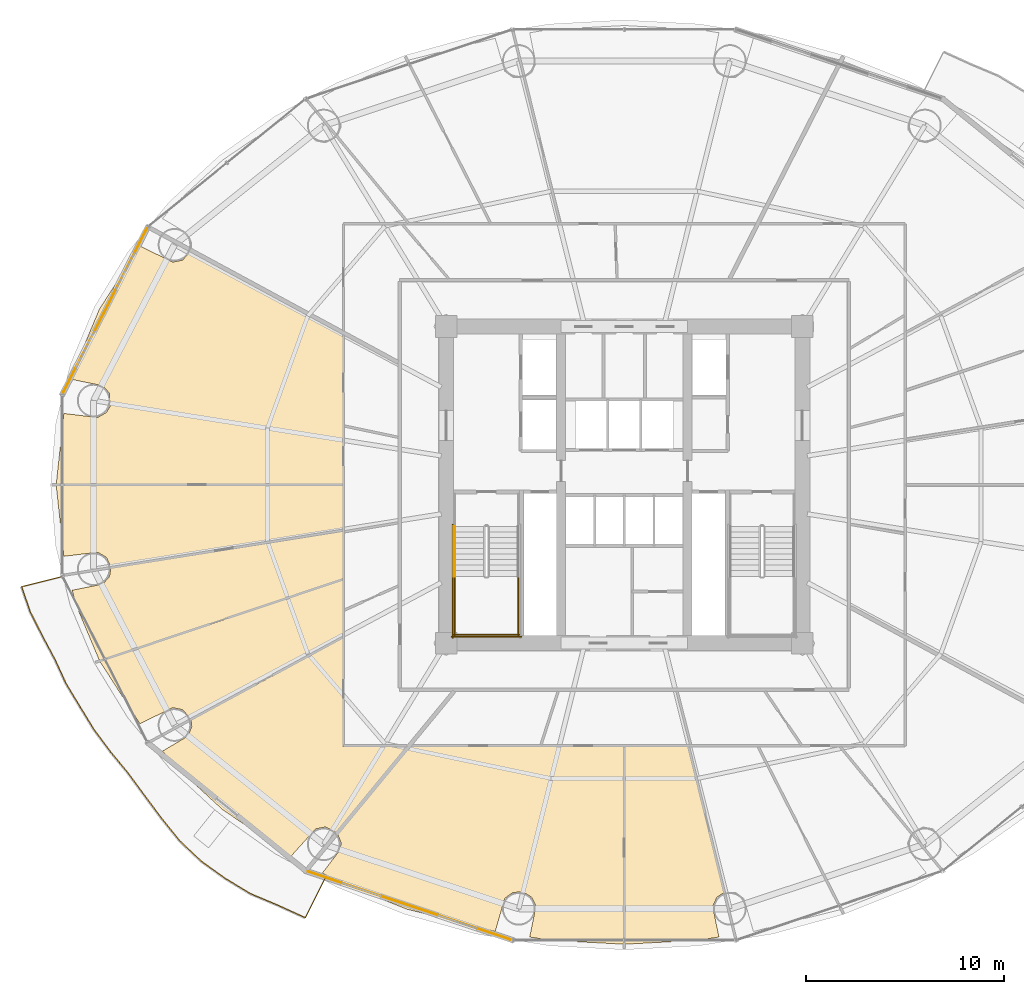
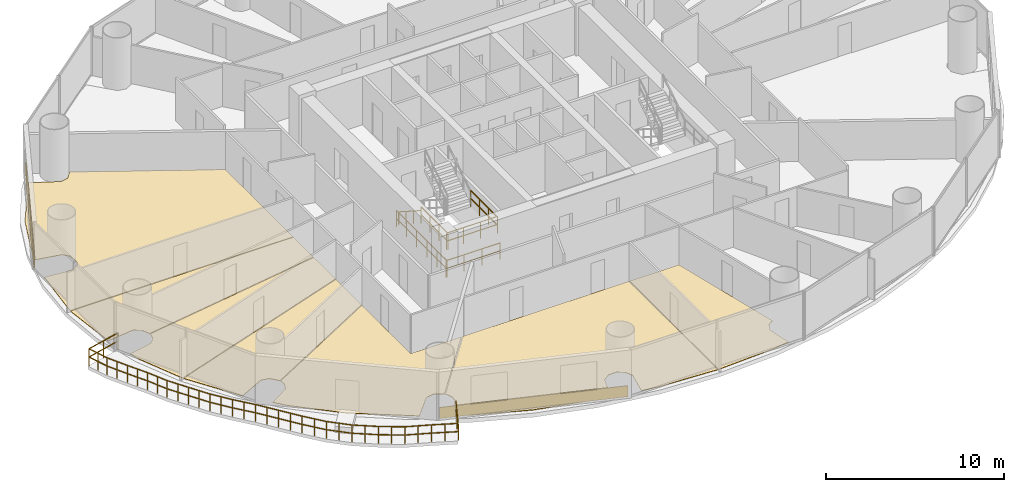
# One storey, part 26 of 29: 9 coverings, 7 railings.
"""IFC4 building model written with IfcOpenShell, lengths in metres."""

from ifc_helpers import new_model, si_unit, direction, frame, origin, origin_2d, place, context, subcontext, project, spatial, polyline, rectangle, outline, extrude, source, transform, mapped, material, layer, layer_set, type_object, element, save


model = new_model("IFC4")

# Units and contexts
model_context = context("Model", 3, precision=1e-05, world=origin(), true_north=direction((-0.2419218956, 0.970295726276)))
body_context = subcontext(model_context, "Body", "Model", "MODEL_VIEW")
ifc_project = project(units=[si_unit("LENGTHUNIT", "METRE"), si_unit("AREAUNIT", "SQUARE_METRE"), si_unit("VOLUMEUNIT", "CUBIC_METRE"), si_unit("PLANEANGLEUNIT", "RADIAN"), si_unit("MASSUNIT", "GRAM", prefix="KILO")], contexts=[model_context])

# Site, building, storey
site_placement = place(None, origin())
site = spatial("IfcSite", under=ifc_project, at=site_placement, CompositionType="ELEMENT")
building_placement = place(site_placement, origin())
building = spatial("IfcBuilding", under=site, at=building_placement, Name="Cobrevalo Terracotta Tower", CompositionType="ELEMENT")
storey_placement = place(building_placement, frame((0.0, 0.0, 49.199951171875)))
storey = spatial("IfcBuildingStorey", under=building, at=storey_placement, Name="L12", CompositionType="ELEMENT", Elevation=49.199951171875)

# Railing
ifc_material_1 = material(Name="Laminated structural glass and stainless steel", Category="steel")
railing_type_1 = type_object("IfcRailingType", Name="Balcony lobe structural glass & terracotta-cap balustrade 1180 mm", PredefinedType="BALUSTRADE", material=ifc_material_1)
railing_1_placement = place(storey_placement, frame((9.717529296875, 22.1962890625, 0.0)))
element("IfcRailing", 1, at=railing_1_placement, inside=storey, type_object=railing_type_1, Name="L12 spiralling balcony lobe balustrade 2", PredefinedType="BALUSTRADE", context=body_context, shape_type="SweptSolid", body=[
    extrude(rectangle(XDim=0.048095703125, YDim=0.048095703125, at=origin_2d()), frame((0.0, 0.0, 1.15576171875), z_axis=(-0.970656645636, -0.240469699304, 0.0), x_axis=(0.240469699304, -0.970656645636, 0.0)), (0.0, 0.0, 1.0), 2.2529296875),
    extrude(rectangle(XDim=0.048095703125, YDim=0.048095703125, at=origin_2d()), frame((0.0, 0.0, 0.58984375), z_axis=(-0.970656645636, -0.240469699304, 0.0), x_axis=(0.240469699304, -0.970656645636, 0.0)), (0.0, 0.0, 1.0), 2.2529296875),
    extrude(rectangle(XDim=0.048095703125, YDim=0.048095703125, at=origin_2d()), frame((-2.186767578125, -0.541748046875, 1.15576171875), z_axis=(0.326743713741, -0.9451129803, 0.0), x_axis=(0.9451129803, 0.326743713741, 0.0)), (0.0, 0.0, 1.0), 1.3486328125),
    extrude(rectangle(XDim=0.048095703125, YDim=0.048095703125, at=origin_2d()), frame((-2.186767578125, -0.541748046875, 0.58984375), z_axis=(0.326743713741, -0.9451129803, 0.0), x_axis=(0.9451129803, 0.326743713741, 0.0)), (0.0, 0.0, 1.0), 1.3486328125),
    extrude(rectangle(XDim=0.048095703125, YDim=0.048095703125, at=origin_2d()), frame((-1.74609375, -1.81640625, 1.15576171875), z_axis=(0.449937324775, -0.893060134467, 0.0), x_axis=(0.893060134467, 0.449937324775, 0.0)), (0.0, 0.0, 1.0), 1.361328125),
    extrude(rectangle(XDim=0.048095703125, YDim=0.048095703125, at=origin_2d()), frame((-1.74609375, -1.81640625, 0.58984375), z_axis=(0.449937324775, -0.893060134467, 0.0), x_axis=(0.893060134467, 0.449937324775, 0.0)), (0.0, 0.0, 1.0), 1.361328125),
    extrude(rectangle(XDim=0.048095703125, YDim=0.048095703125, at=origin_2d()), frame((-1.133544921875, -3.0322265625, 1.15576171875), z_axis=(0.47043842962, -0.882432821203, 0.0), x_axis=(0.882432821203, 0.47043842962, 0.0)), (0.0, 0.0, 1.0), 1.353515625),
    extrude(rectangle(XDim=0.048095703125, YDim=0.048095703125, at=origin_2d()), frame((-1.133544921875, -3.0322265625, 0.58984375), z_axis=(0.47043842962, -0.882432821203, 0.0), x_axis=(0.882432821203, 0.47043842962, 0.0)), (0.0, 0.0, 1.0), 1.353515625),
    extrude(rectangle(XDim=0.048095703125, YDim=0.048095703125, at=origin_2d()), frame((-0.496826171875, -4.2265625, 1.15576171875), z_axis=(0.417641932677, -0.90861169708, 0.0), x_axis=(0.90861169708, 0.417641932677, 0.0)), (0.0, 0.0, 1.0), 1.34521484375),
    extrude(rectangle(XDim=0.048095703125, YDim=0.048095703125, at=origin_2d()), frame((-0.496826171875, -4.2265625, 0.58984375), z_axis=(0.417641932677, -0.90861169708, 0.0), x_axis=(0.90861169708, 0.417641932677, 0.0)), (0.0, 0.0, 1.0), 1.34521484375),
    extrude(rectangle(XDim=0.048095703125, YDim=0.048095703125, at=origin_2d()), frame((0.06494140625, -5.44873046875, 1.15576171875), z_axis=(0.518008939835, -0.855375203201, 0.0), x_axis=(0.855375203201, 0.518008939835, 0.0)), (0.0, 0.0, 1.0), 1.36767578125),
    extrude(rectangle(XDim=0.048095703125, YDim=0.048095703125, at=origin_2d()), frame((0.06494140625, -5.44873046875, 0.58984375), z_axis=(0.518008939835, -0.855375203201, 0.0), x_axis=(0.855375203201, 0.518008939835, 0.0)), (0.0, 0.0, 1.0), 1.36767578125),
    extrude(rectangle(XDim=0.048095703125, YDim=0.048095703125, at=origin_2d()), frame((0.7734375, -6.61865234375, 1.15576171875), z_axis=(0.521811507393, -0.853060813045, 0.0), x_axis=(0.853060813045, 0.521811507393, 0.0)), (0.0, 0.0, 1.0), 1.36572265625),
    extrude(rectangle(XDim=0.048095703125, YDim=0.048095703125, at=origin_2d()), frame((0.7734375, -6.61865234375, 0.58984375), z_axis=(0.521811507393, -0.853060813045, 0.0), x_axis=(0.853060813045, 0.521811507393, 0.0)), (0.0, 0.0, 1.0), 1.36572265625),
    extrude(rectangle(XDim=0.048095703125, YDim=0.048095703125, at=origin_2d()), frame((1.486083984375, -7.78369140625, 1.15576171875), z_axis=(0.597623817794, -0.801776634984, 0.0), x_axis=(0.801776634984, 0.597623817794, 0.0)), (0.0, 0.0, 1.0), 1.38232421875),
    extrude(rectangle(XDim=0.048095703125, YDim=0.048095703125, at=origin_2d()), frame((1.486083984375, -7.78369140625, 0.58984375), z_axis=(0.597623817794, -0.801776634984, 0.0), x_axis=(0.801776634984, 0.597623817794, 0.0)), (0.0, 0.0, 1.0), 1.38232421875),
    extrude(rectangle(XDim=0.048095703125, YDim=0.048095703125, at=origin_2d()), frame((2.312255859375, -8.89208984375, 1.15576171875), z_axis=(0.636216311347, -0.771510729138, 0.0), x_axis=(0.771510729138, 0.636216311347, 0.0)), (0.0, 0.0, 1.0), 1.394775390625),
    extrude(rectangle(XDim=0.048095703125, YDim=0.048095703125, at=origin_2d()), frame((2.312255859375, -8.89208984375, 0.58984375), z_axis=(0.636216311347, -0.771510729138, 0.0), x_axis=(0.771510729138, 0.636216311347, 0.0)), (0.0, 0.0, 1.0), 1.394775390625),
    extrude(rectangle(XDim=0.048095703125, YDim=0.048095703125, at=origin_2d()), frame((3.19970703125, -9.96826171875, 1.15576171875), z_axis=(0.59238049552, -0.805658332376, 0.0), x_axis=(0.805658332376, 0.59238049552, 0.0)), (0.0, 0.0, 1.0), 1.404541015625),
    extrude(rectangle(XDim=0.048095703125, YDim=0.048095703125, at=origin_2d()), frame((3.19970703125, -9.96826171875, 0.58984375), z_axis=(0.59238049552, -0.805658332376, 0.0), x_axis=(0.805658332376, 0.59238049552, 0.0)), (0.0, 0.0, 1.0), 1.404541015625),
    extrude(rectangle(XDim=0.048095703125, YDim=0.048095703125, at=origin_2d()), frame((4.03173828125, -11.099853515625, 1.15576171875), z_axis=(0.596772057795, -0.802410811888, 0.0), x_axis=(0.802410811888, 0.596772057795, 0.0)), (0.0, 0.0, 1.0), 1.454345703125),
    extrude(rectangle(XDim=0.048095703125, YDim=0.048095703125, at=origin_2d()), frame((4.03173828125, -11.099853515625, 0.58984375), z_axis=(0.596772057795, -0.802410811888, 0.0), x_axis=(0.802410811888, 0.596772057795, 0.0)), (0.0, 0.0, 1.0), 1.454345703125),
    extrude(rectangle(XDim=0.048095703125, YDim=0.048095703125, at=origin_2d()), frame((4.899658203125, -12.266845703125, 1.15576171875), z_axis=(0.628561634058, -0.777759777946, 0.0), x_axis=(0.777759777946, 0.628561634058, 0.0)), (0.0, 0.0, 1.0), 1.4677734375),
    extrude(rectangle(XDim=0.048095703125, YDim=0.048095703125, at=origin_2d()), frame((4.899658203125, -12.266845703125, 0.58984375), z_axis=(0.628561634058, -0.777759777946, 0.0), x_axis=(0.777759777946, 0.628561634058, 0.0)), (0.0, 0.0, 1.0), 1.4677734375),
    extrude(rectangle(XDim=0.048095703125, YDim=0.048095703125, at=origin_2d()), frame((5.822265625, -13.408447265625, 1.15576171875), z_axis=(0.727476193615, -0.68613292278, 0.0), x_axis=(0.68613292278, 0.727476193615, 0.0)), (0.0, 0.0, 1.0), 1.476318359375),
    extrude(rectangle(XDim=0.048095703125, YDim=0.048095703125, at=origin_2d()), frame((5.822265625, -13.408447265625, 0.58984375), z_axis=(0.727476193615, -0.68613292278, 0.0), x_axis=(0.68613292278, 0.727476193615, 0.0)), (0.0, 0.0, 1.0), 1.476318359375),
    extrude(rectangle(XDim=0.048095703125, YDim=0.048095703125, at=origin_2d()), frame((6.896240234375, -14.42138671875, 1.15576171875), z_axis=(0.813080516018, -0.582151247076, 0.0), x_axis=(0.582151247076, 0.813080516018, 0.0)), (0.0, 0.0, 1.0), 1.49169921875),
    extrude(rectangle(XDim=0.048095703125, YDim=0.048095703125, at=origin_2d()), frame((6.896240234375, -14.42138671875, 0.58984375), z_axis=(0.813080516018, -0.582151247076, 0.0), x_axis=(0.582151247076, 0.813080516018, 0.0)), (0.0, 0.0, 1.0), 1.49169921875),
    extrude(rectangle(XDim=0.048095703125, YDim=0.048095703125, at=origin_2d()), frame((8.109130859375, -15.289794921875, 1.15576171875), z_axis=(0.854844744137, -0.518883863134, 0.0), x_axis=(0.518883863134, 0.854844744137, 0.0)), (0.0, 0.0, 1.0), 1.48681640625),
    extrude(rectangle(XDim=0.048095703125, YDim=0.048095703125, at=origin_2d()), frame((8.109130859375, -15.289794921875, 0.58984375), z_axis=(0.854844744137, -0.518883863134, 0.0), x_axis=(0.518883863134, 0.854844744137, 0.0)), (0.0, 0.0, 1.0), 1.48681640625),
    extrude(rectangle(XDim=0.048095703125, YDim=0.048095703125, at=origin_2d()), frame((9.380126953125, -16.061279296875, 1.15576171875), z_axis=(0.921740787287, -0.387806551067, 0.0), x_axis=(0.387806551067, 0.921740787287, 0.0)), (0.0, 0.0, 1.0), 1.525390625),
    extrude(rectangle(XDim=0.048095703125, YDim=0.048095703125, at=origin_2d()), frame((9.380126953125, -16.061279296875, 0.58984375), z_axis=(0.921740787287, -0.387806551067, 0.0), x_axis=(0.387806551067, 0.921740787287, 0.0)), (0.0, 0.0, 1.0), 1.525390625),
    extrude(rectangle(XDim=0.048095703125, YDim=0.048095703125, at=origin_2d()), frame((10.7861328125, -16.65283203125, 1.15576171875), z_axis=(0.910277705224, -0.413998187643, 0.0), x_axis=(0.413998187643, 0.910277705224, 0.0)), (0.0, 0.0, 1.0), 1.50732421875),
    extrude(rectangle(XDim=0.048095703125, YDim=0.048095703125, at=origin_2d()), frame((10.7861328125, -16.65283203125, 0.58984375), z_axis=(0.910277705224, -0.413998187643, 0.0), x_axis=(0.413998187643, 0.910277705224, 0.0)), (0.0, 0.0, 1.0), 1.50732421875),
    extrude(rectangle(XDim=0.048095703125, YDim=0.048095703125, at=origin_2d()), frame((12.158203125, -17.27685546875, 1.15576171875), z_axis=(0.4472135955, 0.894427191, 0.0), x_axis=(-0.894427191, 0.4472135955, 0.0)), (0.0, 0.0, 1.0), 2.208251953125),
    extrude(rectangle(XDim=0.048095703125, YDim=0.048095703125, at=origin_2d()), frame((12.158203125, -17.27685546875, 0.58984375), z_axis=(0.4472135955, 0.894427191, 0.0), x_axis=(-0.894427191, 0.4472135955, 0.0)), (0.0, 0.0, 1.0), 2.208251953125),
    extrude(rectangle(XDim=0.0419921875, YDim=0.0419921875, at=origin_2d()), origin(), (0.0, 0.0, 1.0), 1.1318359375),
    extrude(rectangle(XDim=0.0419921875, YDim=0.0419921875, at=origin_2d()), frame((-1.09326171875, -0.27099609375, 0.0)), (0.0, 0.0, 1.0), 1.1318359375),
    extrude(rectangle(XDim=0.0419921875, YDim=0.0419921875, at=origin_2d()), frame((-2.186767578125, -0.541748046875, 0.0)), (0.0, 0.0, 1.0), 1.1318359375),
    extrude(rectangle(XDim=0.0419921875, YDim=0.0419921875, at=origin_2d()), frame((-1.96630859375, -1.17919921875, 0.0)), (0.0, 0.0, 1.0), 1.1318359375),
    extrude(rectangle(XDim=0.0419921875, YDim=0.0419921875, at=origin_2d()), frame((-1.74609375, -1.81640625, 0.0)), (0.0, 0.0, 1.0), 1.1318359375),
    extrude(rectangle(XDim=0.0419921875, YDim=0.0419921875, at=origin_2d()), frame((-1.43994140625, -2.42431640625, 0.0)), (0.0, 0.0, 1.0), 1.1318359375),
    extrude(rectangle(XDim=0.0419921875, YDim=0.0419921875, at=origin_2d()), frame((-1.133544921875, -3.0322265625, 0.0)), (0.0, 0.0, 1.0), 1.1318359375),
    extrude(rectangle(XDim=0.0419921875, YDim=0.0419921875, at=origin_2d()), frame((-0.815185546875, -3.62939453125, 0.0)), (0.0, 0.0, 1.0), 1.1318359375),
    extrude(rectangle(XDim=0.0419921875, YDim=0.0419921875, at=origin_2d()), frame((-0.496826171875, -4.2265625, 0.0)), (0.0, 0.0, 1.0), 1.1318359375),
    extrude(rectangle(XDim=0.0419921875, YDim=0.0419921875, at=origin_2d()), frame((-0.2158203125, -4.837646484375, 0.0)), (0.0, 0.0, 1.0), 1.1318359375),
    extrude(rectangle(XDim=0.0419921875, YDim=0.0419921875, at=origin_2d()), frame((0.06494140625, -5.44873046875, 0.0)), (0.0, 0.0, 1.0), 1.1318359375),
    extrude(rectangle(XDim=0.0419921875, YDim=0.0419921875, at=origin_2d()), frame((0.419189453125, -6.03369140625, 0.0)), (0.0, 0.0, 1.0), 1.1318359375),
    extrude(rectangle(XDim=0.0419921875, YDim=0.0419921875, at=origin_2d()), frame((0.7734375, -6.61865234375, 0.0)), (0.0, 0.0, 1.0), 1.1318359375),
    extrude(rectangle(XDim=0.0419921875, YDim=0.0419921875, at=origin_2d()), frame((1.1298828125, -7.201171875, 0.0)), (0.0, 0.0, 1.0), 1.1318359375),
    extrude(rectangle(XDim=0.0419921875, YDim=0.0419921875, at=origin_2d()), frame((1.486083984375, -7.78369140625, 0.0)), (0.0, 0.0, 1.0), 1.1318359375),
    extrude(rectangle(XDim=0.0419921875, YDim=0.0419921875, at=origin_2d()), frame((1.899169921875, -8.337890625, 0.0)), (0.0, 0.0, 1.0), 1.1318359375),
    extrude(rectangle(XDim=0.0419921875, YDim=0.0419921875, at=origin_2d()), frame((2.312255859375, -8.89208984375, 0.0)), (0.0, 0.0, 1.0), 1.1318359375),
    extrude(rectangle(XDim=0.0419921875, YDim=0.0419921875, at=origin_2d()), frame((2.755859375, -9.43017578125, 0.0)), (0.0, 0.0, 1.0), 1.1318359375),
    extrude(rectangle(XDim=0.0419921875, YDim=0.0419921875, at=origin_2d()), frame((3.19970703125, -9.96826171875, 0.0)), (0.0, 0.0, 1.0), 1.1318359375),
    extrude(rectangle(XDim=0.0419921875, YDim=0.0419921875, at=origin_2d()), frame((3.61572265625, -10.5341796875, 0.0)), (0.0, 0.0, 1.0), 1.1318359375),
    extrude(rectangle(XDim=0.0419921875, YDim=0.0419921875, at=origin_2d()), frame((4.03173828125, -11.099853515625, 0.0)), (0.0, 0.0, 1.0), 1.1318359375),
    extrude(rectangle(XDim=0.0419921875, YDim=0.0419921875, at=origin_2d()), frame((4.4658203125, -11.683349609375, 0.0)), (0.0, 0.0, 1.0), 1.1318359375),
    extrude(rectangle(XDim=0.0419921875, YDim=0.0419921875, at=origin_2d()), frame((4.899658203125, -12.266845703125, 0.0)), (0.0, 0.0, 1.0), 1.1318359375),
    extrude(rectangle(XDim=0.0419921875, YDim=0.0419921875, at=origin_2d()), frame((5.36083984375, -12.837646484375, 0.0)), (0.0, 0.0, 1.0), 1.1318359375),
    extrude(rectangle(XDim=0.0419921875, YDim=0.0419921875, at=origin_2d()), frame((5.822265625, -13.408447265625, 0.0)), (0.0, 0.0, 1.0), 1.1318359375),
    extrude(rectangle(XDim=0.0419921875, YDim=0.0419921875, at=origin_2d()), frame((6.359375, -13.9150390625, 0.0)), (0.0, 0.0, 1.0), 1.1318359375),
    extrude(rectangle(XDim=0.0419921875, YDim=0.0419921875, at=origin_2d()), frame((6.896240234375, -14.42138671875, 0.0)), (0.0, 0.0, 1.0), 1.1318359375),
    extrude(rectangle(XDim=0.0419921875, YDim=0.0419921875, at=origin_2d()), frame((7.502685546875, -14.85546875, 0.0)), (0.0, 0.0, 1.0), 1.1318359375),
    extrude(rectangle(XDim=0.0419921875, YDim=0.0419921875, at=origin_2d()), frame((8.109130859375, -15.289794921875, 0.0)), (0.0, 0.0, 1.0), 1.1318359375),
    extrude(rectangle(XDim=0.0419921875, YDim=0.0419921875, at=origin_2d()), frame((8.74462890625, -15.675537109375, 0.0)), (0.0, 0.0, 1.0), 1.1318359375),
    extrude(rectangle(XDim=0.0419921875, YDim=0.0419921875, at=origin_2d()), frame((9.380126953125, -16.061279296875, 0.0)), (0.0, 0.0, 1.0), 1.1318359375),
    extrude(rectangle(XDim=0.0419921875, YDim=0.0419921875, at=origin_2d()), frame((10.0830078125, -16.35693359375, 0.0)), (0.0, 0.0, 1.0), 1.1318359375),
    extrude(rectangle(XDim=0.0419921875, YDim=0.0419921875, at=origin_2d()), frame((10.7861328125, -16.65283203125, 0.0)), (0.0, 0.0, 1.0), 1.1318359375),
    extrude(rectangle(XDim=0.0419921875, YDim=0.0419921875, at=origin_2d()), frame((11.47216796875, -16.96484375, 0.0)), (0.0, 0.0, 1.0), 1.1318359375),
    extrude(rectangle(XDim=0.0419921875, YDim=0.0419921875, at=origin_2d()), frame((12.158203125, -17.27685546875, 0.0)), (0.0, 0.0, 1.0), 1.1318359375),
    extrude(rectangle(XDim=0.0419921875, YDim=0.0419921875, at=origin_2d()), frame((12.65185546875, -16.289306640625, 0.0)), (0.0, 0.0, 1.0), 1.1318359375),
    extrude(rectangle(XDim=0.0419921875, YDim=0.0419921875, at=origin_2d()), frame((13.145751953125, -15.3017578125, 0.0)), (0.0, 0.0, 1.0), 1.1318359375),
])

# Coverings
ifc_material_2 = material(Name="Engineered Brazilian hardwood flooring", Category="wood")
ifc_layer_1 = layer(ifc_material_2, 0.028076171875)
ifc_layer_set_1 = layer_set([ifc_layer_1], Name="Engineered Brazilian hardwood flooring")
covering_type_1 = type_object("IfcCoveringType", Name="Engineered Hardwood Suite Flooring 28", PredefinedType="FLOORING", material=ifc_layer_set_1)
covering_1_placement = place(storey_placement, origin())
element("IfcCovering", 2, at=covering_1_placement, inside=storey, type_object=covering_type_1, Name="Flat L12C Penthouse Living and Dining Room floor finish", PredefinedType="FLOORING", context=body_context, shape_type="SweptSolid", body=[
    extrude(outline(polyline([(9.668701171875, 30.4111328125), (11.380615234375, 30.206787109375), (11.821533203125, 30.465087890625), (12.0009765625, 30.757568359375), (11.974853515625, 31.4306640625), (11.6357421875, 31.81298828125), (10.090576171875, 32.126220703125), (10.25830078125, 32.80859375), (11.465576171875, 35.684326171875), (13.511962890625, 38.87451171875), (15.173583984375, 38.063232421875), (15.674560546875, 38.163330078125), (16.084716796875, 38.643310546875), (23.784912109375, 34.47412109375), (23.784912109375, 26.820068359375), (9.28173828125, 26.820068359375), (9.668701171875, 30.4111328125)])), origin(), (0.0, 0.0, 1.0), 0.030029296875),
])
covering_2_placement = place(storey_placement, origin())
element("IfcCovering", 3, at=covering_2_placement, inside=storey, type_object=covering_type_1, Name="Flat L12C Master Bedroom floor finish", PredefinedType="FLOORING", context=body_context, shape_type="SweptSolid", body=[
    extrude(outline(polyline([(9.28173828125, 26.780029296875), (23.784912109375, 26.780029296875), (23.784912109375, 24.529052734375), (12.047119140625, 22.636962890625), (11.821533203125, 23.135009765625), (11.380615234375, 23.39306640625), (9.668701171875, 23.18896484375), (9.28173828125, 26.780029296875)])), origin(), (0.0, 0.0, 1.0), 0.030029296875),
])
covering_3_placement = place(storey_placement, origin())
element("IfcCovering", 4, at=covering_3_placement, inside=storey, type_object=covering_type_1, Name="Flat L12C Principal Guest Bedroom floor finish", PredefinedType="FLOORING", context=body_context, shape_type="SweptSolid", body=[
    extrude(outline(polyline([(10.25830078125, 20.791259765625), (10.090576171875, 21.473876953125), (11.6357421875, 21.787109375), (11.974853515625, 22.169189453125), (12.04931640625, 22.596923828125), (23.784912109375, 24.488525390625), (23.784912109375, 22.0498046875), (11.468505859375, 17.91552734375), (10.25830078125, 20.791259765625)])), origin(), (0.0, 0.0, 1.0), 0.030029296875),
])
covering_4_placement = place(storey_placement, origin())
element("IfcCovering", 5, at=covering_4_placement, inside=storey, type_object=covering_type_1, Name="Flat L12C Principal Guest Bedroom floor finish", PredefinedType="FLOORING", context=body_context, shape_type="SweptSolid", body=[
    extrude(outline(polyline([(11.4873046875, 17.8798828125), (23.784912109375, 22.007568359375), (23.784912109375, 19.1259765625), (16.084716796875, 14.95654296875), (15.674560546875, 15.436767578125), (15.173583984375, 15.53662109375), (13.511962890625, 14.7255859375), (11.4873046875, 17.8798828125)])), origin(), (0.0, 0.0, 1.0), 0.030029296875),
])
covering_5_placement = place(storey_placement, origin())
element("IfcCovering", 6, at=covering_5_placement, inside=storey, type_object=covering_type_1, Name="Flat L12C Penthouse Family Lounge floor finish", PredefinedType="FLOORING", context=body_context, shape_type="SweptSolid", body=[
    extrude(outline(polyline([(14.65576171875, 13.341064453125), (15.939208984375, 14.10205078125), (16.135009765625, 14.573974609375), (16.09765625, 14.91796875), (23.784912109375, 19.08056640625), (23.784912109375, 13.5849609375), (27.077392578125, 13.5849609375), (23.468017578125, 9.20751953125), (22.899658203125, 9.50732421875), (22.3974609375, 9.412353515625), (21.156494140625, 8.03271484375), (17.6904296875, 10.38232421875), (15.213623046875, 12.666259765625), (14.65576171875, 13.341064453125)])), origin(), (0.0, 0.0, 1.0), 0.030029296875),
])
covering_6_placement = place(storey_placement, origin())
element("IfcCovering", 7, at=covering_6_placement, inside=storey, type_object=covering_type_1, Name="Flat L12D Penthouse Living and Dining Room floor finish", PredefinedType="FLOORING", context=body_context, shape_type="SweptSolid", body=[
    extrude(outline(polyline([(23.4951171875, 9.177490234375), (27.12939453125, 13.5849609375), (37.97998046875, 13.5849609375), (37.97998046875, 3.5810546875), (34.250732421875, 3.77880859375), (33.21630859375, 3.945068359375), (33.53466796875, 5.500244140625), (33.3154296875, 5.9619140625), (32.876953125, 6.223876953125), (32.36669921875, 6.197998046875), (31.95654296875, 5.89306640625), (31.472412109375, 4.2255859375), (27.008056640625, 5.34814453125), (23.638427734375, 6.691650390625), (22.73681640625, 7.178955078125), (23.64501953125, 8.369140625), (23.681884765625, 8.71044921875), (23.4951171875, 9.177490234375)])), origin(), (0.0, 0.0, 1.0), 0.030029296875),
])
covering_7_placement = place(storey_placement, origin())
element("IfcCovering", 8, at=covering_7_placement, inside=storey, type_object=covering_type_1, Name="Flat L12D Master Bedroom floor finish", PredefinedType="FLOORING", context=body_context, shape_type="SweptSolid", body=[
    extrude(outline(polyline([(38.02001953125, 3.5810546875), (38.02001953125, 13.5849609375), (41.22314453125, 13.5849609375), (43.03759765625, 6.193359375), (42.6845703125, 5.9619140625), (42.46533203125, 5.500244140625), (42.78369140625, 3.945068359375), (41.749267578125, 3.77880859375), (38.02001953125, 3.5810546875)])), origin(), (0.0, 0.0, 1.0), 0.030029296875),
])

# Railings
ifc_material_3 = material(Name="Brushed stainless steel", Category="steel")
railing_type_2 = type_object("IfcRailingType", Name="Stainless Steel Stair Handrail 900", PredefinedType="HANDRAIL", material=ifc_material_3)
railing_2_placement = place(storey_placement, frame((29.425048828125, 24.699951171875, 0.179931640625)))
element("IfcRailing", 9, at=railing_2_placement, inside=storey, type_object=railing_type_2, Name="L12 ST-1 stair handrail 1", PredefinedType="HANDRAIL", context=body_context, shape_type="SweptSolid", body=[
    extrude(rectangle(XDim=0.048095703125, YDim=0.048095703125, at=origin_2d()), frame((0.0, 0.0, 0.8759765625), z_axis=(0.0, -0.841162588446, 0.540782303519), x_axis=(1.0, 0.0, 0.0)), (0.0, 0.0, 1.0), 2.995849609375),
    extrude(rectangle(XDim=0.0419921875, YDim=0.0419921875, at=origin_2d()), origin(), (0.0, 0.0, 1.0), 0.851806640625),
    extrude(rectangle(XDim=0.0419921875, YDim=0.0419921875, at=origin_2d()), frame((0.0, -0.840087890625, 0.5400390625)), (0.0, 0.0, 1.0), 0.851806640625),
    extrude(rectangle(XDim=0.0419921875, YDim=0.0419921875, at=origin_2d()), frame((0.0, -1.679931640625, 1.080078125)), (0.0, 0.0, 1.0), 0.851806640625),
    extrude(rectangle(XDim=0.0419921875, YDim=0.0419921875, at=origin_2d()), frame((0.0, -2.52001953125, 1.6201171875)), (0.0, 0.0, 1.0), 0.851806640625),
])
ifc_material_4 = material(Name="Painted galvanized steel", Category="steel")
railing_type_3 = type_object("IfcRailingType", Name="Stair Well Guard Balustrade 1150", PredefinedType="GUARDRAIL", material=ifc_material_4)
for number, where, name in (
    (10, (29.425048828125, 22.179931640625, 1.800048828125), "L12 ST-1 stair guard 3"),
    (11, (32.64501953125, 22.179931640625, 1.800048828125), "L12 ST-1 stair guard 4"),
):
    element("IfcRailing", number, at=place(storey_placement, frame(where)), inside=storey, type_object=railing_type_3, Name=name, PredefinedType="GUARDRAIL", context=body_context, shape_type="SweptSolid", body=[
        extrude(rectangle(XDim=0.048095703125, YDim=0.048095703125, at=origin_2d()), frame((0.0, 0.0, 1.1259765625), z_axis=(0.0, -1.0, 0.0), x_axis=(1.0, 0.0, 0.0)), (0.0, 0.0, 1.0), 3.0048828125),
        extrude(rectangle(XDim=0.048095703125, YDim=0.048095703125, at=origin_2d()), frame((0.0, 0.0, 0.574951171875), z_axis=(0.0, -1.0, 0.0), x_axis=(1.0, 0.0, 0.0)), (0.0, 0.0, 1.0), 3.0048828125),
        extrude(rectangle(XDim=0.0419921875, YDim=0.0419921875, at=origin_2d()), origin(), (0.0, 0.0, 1.0), 1.101806640625),
        extrude(rectangle(XDim=0.0419921875, YDim=0.0419921875, at=origin_2d()), frame((0.0, -1.001708984375, 0.0)), (0.0, 0.0, 1.0), 1.101806640625),
        extrude(rectangle(XDim=0.0419921875, YDim=0.0419921875, at=origin_2d()), frame((0.0, -2.003173828125, 0.0)), (0.0, 0.0, 1.0), 1.101806640625),
        extrude(rectangle(XDim=0.0419921875, YDim=0.0419921875, at=origin_2d()), frame((0.0, -3.0048828125, 0.0)), (0.0, 0.0, 1.0), 1.101806640625),
    ])
railing_3_placement = place(storey_placement, frame((29.375, 19.22509765625, 1.800048828125)))
element("IfcRailing", 12, at=railing_3_placement, inside=storey, type_object=railing_type_3, Name="L12 ST-1 stair guard 5", PredefinedType="GUARDRAIL", context=body_context, shape_type="SweptSolid", body=[
    extrude(rectangle(XDim=0.048095703125, YDim=0.048095703125, at=origin_2d()), frame((0.0, 0.0, 1.1259765625), z_axis=(1.0, 0.0, 0.0), x_axis=(0.0, 1.0, 0.0)), (0.0, 0.0, 1.0), 3.320068359375),
    extrude(rectangle(XDim=0.048095703125, YDim=0.048095703125, at=origin_2d()), frame((0.0, 0.0, 0.574951171875), z_axis=(1.0, 0.0, 0.0), x_axis=(0.0, 1.0, 0.0)), (0.0, 0.0, 1.0), 3.320068359375),
    extrude(rectangle(XDim=0.0419921875, YDim=0.0419921875, at=origin_2d()), origin(), (0.0, 0.0, 1.0), 1.101806640625),
    extrude(rectangle(XDim=0.0419921875, YDim=0.0419921875, at=origin_2d()), frame((1.106689453125, 0.0, 0.0)), (0.0, 0.0, 1.0), 1.101806640625),
    extrude(rectangle(XDim=0.0419921875, YDim=0.0419921875, at=origin_2d()), frame((2.21337890625, 0.0, 0.0)), (0.0, 0.0, 1.0), 1.101806640625),
    extrude(rectangle(XDim=0.0419921875, YDim=0.0419921875, at=origin_2d()), frame((3.320068359375, 0.0, 0.0)), (0.0, 0.0, 1.0), 1.101806640625),
])
railing_4_placement = place(storey_placement, frame((29.324951171875, 24.800048828125, 0.0)))
element("IfcRailing", 13, at=railing_4_placement, inside=storey, type_object=railing_type_3, Name="L12 ST-1 stair guard 10", PredefinedType="GUARDRAIL", context=body_context, shape_type="SweptSolid", body=[
    extrude(rectangle(XDim=0.048095703125, YDim=0.048095703125, at=origin_2d()), frame((0.0, 0.0, 1.1259765625), z_axis=(0.0, -1.0, 0.0), x_axis=(1.0, 0.0, 0.0)), (0.0, 0.0, 1.0), 5.72509765625),
    extrude(rectangle(XDim=0.048095703125, YDim=0.048095703125, at=origin_2d()), frame((0.0, 0.0, 0.574951171875), z_axis=(0.0, -1.0, 0.0), x_axis=(1.0, 0.0, 0.0)), (0.0, 0.0, 1.0), 5.72509765625),
    extrude(rectangle(XDim=0.0419921875, YDim=0.0419921875, at=origin_2d()), origin(), (0.0, 0.0, 1.0), 1.101806640625),
    extrude(rectangle(XDim=0.0419921875, YDim=0.0419921875, at=origin_2d()), frame((0.0, -1.14501953125, 0.0)), (0.0, 0.0, 1.0), 1.101806640625),
    extrude(rectangle(XDim=0.0419921875, YDim=0.0419921875, at=origin_2d()), frame((0.0, -2.2900390625, 0.0)), (0.0, 0.0, 1.0), 1.101806640625),
    extrude(rectangle(XDim=0.0419921875, YDim=0.0419921875, at=origin_2d()), frame((0.0, -3.43505859375, 0.0)), (0.0, 0.0, 1.0), 1.101806640625),
    extrude(rectangle(XDim=0.0419921875, YDim=0.0419921875, at=origin_2d()), frame((0.0, -4.580078125, 0.0)), (0.0, 0.0, 1.0), 1.101806640625),
    extrude(rectangle(XDim=0.0419921875, YDim=0.0419921875, at=origin_2d()), frame((0.0, -5.72509765625, 0.0)), (0.0, 0.0, 1.0), 1.101806640625),
])
railing_5_placement = place(storey_placement, frame((29.27490234375, 19.125, 0.0)))
element("IfcRailing", 14, at=railing_5_placement, inside=storey, type_object=railing_type_3, Name="L12 ST-1 stair guard 12", PredefinedType="GUARDRAIL", context=body_context, shape_type="SweptSolid", body=[
    extrude(rectangle(XDim=0.048095703125, YDim=0.048095703125, at=origin_2d()), frame((0.0, 0.0, 1.1259765625), z_axis=(1.0, 0.0, 0.0), x_axis=(0.0, 1.0, 0.0)), (0.0, 0.0, 1.0), 3.52001953125),
    extrude(rectangle(XDim=0.048095703125, YDim=0.048095703125, at=origin_2d()), frame((0.0, 0.0, 0.574951171875), z_axis=(1.0, 0.0, 0.0), x_axis=(0.0, 1.0, 0.0)), (0.0, 0.0, 1.0), 3.52001953125),
    extrude(rectangle(XDim=0.0419921875, YDim=0.0419921875, at=origin_2d()), origin(), (0.0, 0.0, 1.0), 1.101806640625),
    extrude(rectangle(XDim=0.0419921875, YDim=0.0419921875, at=origin_2d()), frame((1.17333984375, 0.0, 0.0)), (0.0, 0.0, 1.0), 1.101806640625),
    extrude(rectangle(XDim=0.0419921875, YDim=0.0419921875, at=origin_2d()), frame((2.3466796875, 0.0, 0.0)), (0.0, 0.0, 1.0), 1.101806640625),
    extrude(rectangle(XDim=0.0419921875, YDim=0.0419921875, at=origin_2d()), frame((3.52001953125, 0.0, 0.0)), (0.0, 0.0, 1.0), 1.101806640625),
])

# Coverings
ifc_material_5 = material(Name="Glazed terracotta facade cladding tile", Category="masonry")
ifc_layer_2 = layer(ifc_material_5, 0.044921875)
ifc_layer_set_2 = layer_set([ifc_layer_2], Name="Glazed terracotta facade cladding tile")
covering_type_2 = type_object("IfcCoveringType", Name="Architectural terracotta rainscreen spandrel cladding 45 mm", PredefinedType="CLADDING", material=ifc_layer_set_2)
shared_shape_1 = source(origin(), body_context, "Body", "SweptSolid", [
    extrude(rectangle(XDim=9.30224609375, YDim=0.044921875, at=origin_2d()), origin(), (0.0, 0.0, 1.0), 0.760009765625),
])
covering_8_placement = place(storey_placement, frame((11.74951171875, 35.60888671875, 0.0400390625), z_axis=(0.0, 0.0, 1.0), x_axis=(-0.45523102861, -0.890373354605, 0.0)))
element("IfcCovering", 15, at=covering_8_placement, inside=storey, type_object=covering_type_2, Name="L12 terracotta spandrel cladding S07", PredefinedType="CLADDING", context=body_context, shape_type="MappedRepresentation", body=[
    mapped(shared_shape_1, transform((0.0, 0.0, 0.0), scale=1.0)),
])
shared_shape_2 = source(origin(), body_context, "Body", "SweptSolid", [
    extrude(rectangle(XDim=10.8154296875, YDim=0.044921875, at=origin_2d()), origin(), (0.0, 0.0, 1.0), 0.760009765625),
])
covering_9_placement = place(storey_placement, frame((27.126708984375, 5.533203125, 0.0400390625), z_axis=(0.0, 0.0, 1.0), x_axis=(0.948044172593, -0.318138722592, 0.0)))
element("IfcCovering", 16, at=covering_9_placement, inside=storey, type_object=covering_type_2, Name="L12 terracotta spandrel cladding S11", PredefinedType="CLADDING", context=body_context, shape_type="MappedRepresentation", body=[
    mapped(shared_shape_2, transform((0.0, 0.0, 0.0), scale=1.0)),
])

save(model, "model.ifc")
